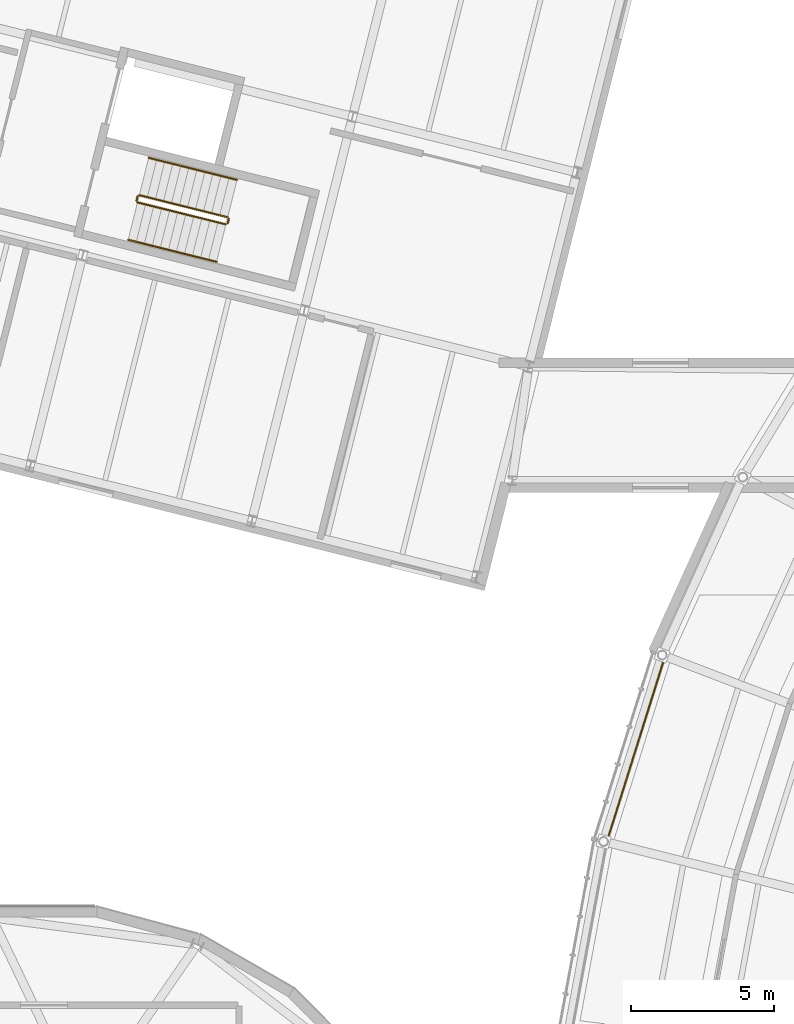
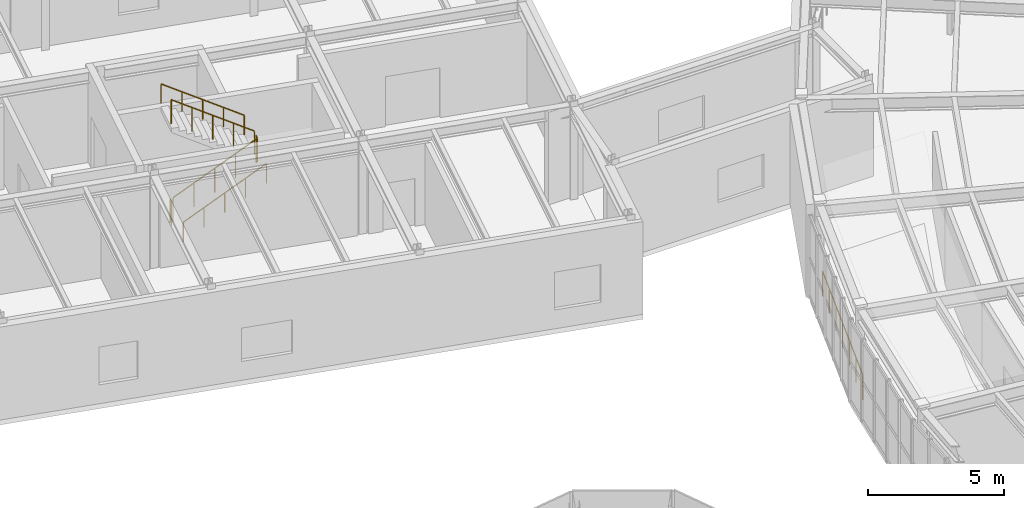
# One storey, part 97 of 103: 7 railings.
"""IFC4 building model written with IfcOpenShell, lengths in metres."""

import ifcopenshell
import ifcopenshell.guid

model = None  # the IFC model being written
_history = None  # IfcOwnerHistory: only IFC2X3 demands one
_inside = {}  # id of a spatial element -> (the spatial element, [elements in it])
_under = {}  # id of a project, library or spatial element -> (it, [spatial elements below it])
_declared = {}  # id of a project -> (the project, [libraries it declares])
_typed = {}  # id of a type object -> (the type object, [elements of that type])
_made_of = {}  # id of a material, layer set ... -> (it, [elements and type objects made of it])


def new_model(schema):
    """Start an empty IFC model of exactly this schema.

    Asked for "IFC4X3", IfcOpenShell would pick the latest addendum, in which some entities
    have other attributes; the version numbers below select the first issue.
    IFC2X3 requires an IfcOwnerHistory on every rooted entity: one is made here for all.
    """
    global model, _history
    if schema == "IFC4X3":
        model = ifcopenshell.file(schema_version=(4, 3, 0, 0))
    else:
        model = ifcopenshell.file(schema=schema)
    _inside.clear()
    _under.clear()
    _declared.clear()
    _typed.clear()
    _made_of.clear()
    _history = None
    if model.schema == "IFC2X3":
        org = make("IfcOrganization", Name="unknown")
        user = make(
            "IfcPersonAndOrganization",
            ThePerson=make("IfcPerson", FamilyName="unknown"),
            TheOrganization=org,
        )
        app = make(
            "IfcApplication",
            ApplicationDeveloper=org,
            Version="unknown",
            ApplicationFullName="unknown",
            ApplicationIdentifier="unknown",
        )
        _history = make(
            "IfcOwnerHistory",
            OwningUser=user,
            OwningApplication=app,
            ChangeAction="ADDED",
            CreationDate=0,
        )
    return model


def make(cls, **values):
    """One entity of the class cls with the attributes given. An attribute that is None is left unset."""
    return model.create_entity(
        cls, **{name: value for name, value in values.items() if value is not None}
    )


def rooted(cls, **values):
    """An entity with a GlobalId (a new one), such as an element, a storey or a relation."""
    return make(cls, GlobalId=ifcopenshell.guid.new(), OwnerHistory=_history, **values)


def si_unit(unit_type, name, prefix=None):
    """IfcSIUnit, for example si_unit("LENGTHUNIT", "METRE", prefix="MILLI")."""
    return make("IfcSIUnit", UnitType=unit_type, Prefix=prefix, Name=name)


def assignment(units):
    """IfcUnitAssignment: the units of a project."""
    return None if units is None else make("IfcUnitAssignment", Units=units)


def point(xyz):
    """IfcCartesianPoint."""
    return None if xyz is None else make("IfcCartesianPoint", Coordinates=xyz)


def direction(xyz):
    """IfcDirection."""
    return None if xyz is None else make("IfcDirection", DirectionRatios=xyz)


def frame(location, z_axis=None, x_axis=None):
    """IfcAxis2Placement3D, a coordinate frame: its origin and axes. An axis left out is left unset."""
    return make(
        "IfcAxis2Placement3D",
        Location=point(location),
        Axis=direction(z_axis),
        RefDirection=direction(x_axis),
    )


def frame_2d(location, x_axis=None):
    """IfcAxis2Placement2D, a coordinate frame in the plane: its origin and x axis."""
    return make(
        "IfcAxis2Placement2D", Location=point(location), RefDirection=direction(x_axis)
    )


def origin():
    """The frame at (0, 0, 0) with its axes left unset."""
    return frame((0.0, 0.0, 0.0))


def origin_2d():
    """The frame at (0, 0) in the plane with its x axis left unset."""
    return frame_2d((0.0, 0.0))


def place(relative_to, where):
    """IfcLocalPlacement: puts the frame where relative to a parent placement (None: the world)."""
    return make(
        "IfcLocalPlacement", PlacementRelTo=relative_to, RelativePlacement=where
    )


def context(
    kind, dimensions, precision=None, world=None, true_north=None, identifier=None
):
    """IfcGeometricRepresentationContext, for example the 3D "Model" context."""
    return make(
        "IfcGeometricRepresentationContext",
        ContextIdentifier=identifier,
        ContextType=kind,
        CoordinateSpaceDimension=dimensions,
        Precision=precision,
        WorldCoordinateSystem=world,
        TrueNorth=true_north,
    )


def subcontext(parent, identifier, kind, view, scale=None):
    """IfcGeometricRepresentationSubContext, for example "Body" below "Model"."""
    return make(
        "IfcGeometricRepresentationSubContext",
        ContextIdentifier=identifier,
        ContextType=kind,
        ParentContext=parent,
        TargetScale=scale,
        TargetView=view,
    )


def project(units=None, contexts=None):
    """IfcProject with its units and contexts."""
    return rooted(
        "IfcProject",
        Name="project",
        RepresentationContexts=contexts,
        UnitsInContext=assignment(units),
    )


def spatial(cls, under=None, at=None, **own):
    """A site, building, storey or space (cls), placed at a placement, below another one or the project."""
    s = rooted(cls, ObjectPlacement=at, **own)
    if under is not None:
        _under.setdefault(under.id(), (under, []))[1].append(s)
    return s


def profile(cls, at=None, kind="AREA", **sizes):
    """A parametric profile (cls). Its sizes go by their IFC names, for example OverallWidth=200.0."""
    return make(cls, ProfileType=kind, Position=at, **sizes)


def circle(**sizes):
    """IfcCircleProfileDef."""
    return profile("IfcCircleProfileDef", **sizes)


def extrude(swept, where, along, depth):
    """IfcExtrudedAreaSolid: the profile swept, set in the frame where, extruded along a direction by depth."""
    return make(
        "IfcExtrudedAreaSolid",
        SweptArea=swept,
        Position=where,
        ExtrudedDirection=direction(along),
        Depth=depth,
    )


def shape(context_of_items, identifier, shape_type, items):
    """IfcShapeRepresentation: the items that make up one representation, for example the "Body"."""
    return make(
        "IfcShapeRepresentation",
        ContextOfItems=context_of_items,
        RepresentationIdentifier=identifier,
        RepresentationType=shape_type,
        Items=items,
    )


def material(Name=None, Category=None):
    """IfcMaterial."""
    return make("IfcMaterial", Name=Name, Category=Category)


def made_of(thing, what):
    """Note that an element or type object is made of a material, layer set ...; save() writes the relation."""
    if what is not None:
        _made_of.setdefault(what.id(), (what, []))[1].append(thing)
    return thing


def type_object(cls, material=None, **own):
    """A type object (cls), such as IfcWallType, which elements share."""
    return made_of(rooted(cls, **own), material)


def element(
    cls,
    number,
    at=None,
    inside=None,
    cuts=None,
    type_object=None,
    material=None,
    context=None,
    identifier="Body",
    shape_type=None,
    held_by="IfcProductDefinitionShape",
    body=None,
    shapes=None,
    **own,
):
    """One element of the class cls, such as IfcWall. Its Tag is "e" and its number.

    at: its placement. inside: the storey or other place that contains it. cuts: it is an
    opening in that element (IfcRelVoidsElement). A single representation is given by context,
    identifier, shape_type and body (its items); several are given by shapes. held_by: the class
    of the entity that holds the representations. save() writes the other relations.
    """
    e = rooted(cls, Tag="e%d" % number, ObjectPlacement=at, **own)
    if body is not None:
        shapes = [shape(context, identifier, shape_type, body)]
    if shapes is not None:
        e.Representation = make(held_by, Representations=shapes)
    if inside is not None:
        _inside.setdefault(inside.id(), (inside, []))[1].append(e)
    if cuts is not None:
        rooted(
            "IfcRelVoidsElement", RelatingBuildingElement=cuts, RelatedOpeningElement=e
        )
    if type_object is not None:
        _typed.setdefault(type_object.id(), (type_object, []))[1].append(e)
    return made_of(e, material)


def aggregate(whole, parts):
    """IfcRelAggregates: a whole, such as a stair, and the parts it consists of."""
    return rooted("IfcRelAggregates", RelatingObject=whole, RelatedObjects=parts)


def save(model, path):
    """Write the relations noted so far, then the file.

    IfcRelAggregates (storeys below a building ...), IfcRelContainedInSpatialStructure (elements
    in a storey), IfcRelDefinesByType, IfcRelAssociatesMaterial and IfcRelDeclares: one each for
    every whole, place, type object, material and project.
    """
    for whole, parts in _under.values():
        aggregate(whole, parts)
    for where, things in _inside.values():
        rooted(
            "IfcRelContainedInSpatialStructure",
            RelatedElements=things,
            RelatingStructure=where,
        )
    for kind, things in _typed.values():
        rooted("IfcRelDefinesByType", RelatedObjects=things, RelatingType=kind)
    for what, things in _made_of.values():
        rooted("IfcRelAssociatesMaterial", RelatedObjects=things, RelatingMaterial=what)
    for by, libraries in _declared.values():
        rooted("IfcRelDeclares", RelatingContext=by, RelatedDefinitions=libraries)
    model.write(path)


model = new_model("IFC4")

# Units and contexts
model_context = context("Model", 3, precision=1e-05, world=origin(), true_north=direction((0.0, 1.0)))
body_context = subcontext(model_context, "Body", "Model", "MODEL_VIEW")
ifc_project = project(units=[si_unit("LENGTHUNIT", "METRE"), si_unit("AREAUNIT", "SQUARE_METRE"), si_unit("VOLUMEUNIT", "CUBIC_METRE"), si_unit("PLANEANGLEUNIT", "RADIAN"), si_unit("MASSUNIT", "GRAM", prefix="KILO")], contexts=[model_context])

# Site, building, storey
site_placement = place(None, origin())
site = spatial("IfcSite", under=ifc_project, at=site_placement, CompositionType="ELEMENT")
building_placement = place(site_placement, origin())
building = spatial("IfcBuilding", under=site, at=building_placement, Name="Varnklinge Art Gallery", CompositionType="ELEMENT")
storey_placement = place(building_placement, frame((0.0, 0.0, 5.10009765625)))
storey = spatial("IfcBuildingStorey", under=building, at=storey_placement, Name="L01", CompositionType="ELEMENT", Elevation=5.10009765625)

# Railings
ifc_material_1 = material(Name="Anodised Aluminium", Category="aluminium")
railing_type_1 = type_object("IfcRailingType", Name="BAL-01", PredefinedType="BALUSTRADE", material=ifc_material_1)
railing_1_placement = place(storey_placement, frame((43.55712890625, 75.0576171875, 0.0)))
element("IfcRailing", 1, at=railing_1_placement, inside=storey, type_object=railing_type_1, Name="L01 Ring Outer Glazing Guard 24", PredefinedType="BALUSTRADE", context=body_context, shape_type="SweptSolid", body=[
    extrude(circle(Radius=0.02392578125, at=origin_2d()), frame((0.0, 0.0, 1.11572265625), z_axis=(-0.299747621108, -0.954018534222, 0.0), x_axis=(0.954018534222, -0.299747621108, 0.0)), (0.0, 0.0, 1.0), 6.832763671875),
    extrude(circle(Radius=0.02099609375, at=origin_2d()), origin(), (0.0, 0.0, 1.0), 1.091796875),
    extrude(circle(Radius=0.02099609375, at=origin_2d()), frame((-0.34130859375, -1.08642578125, 0.0)), (0.0, 0.0, 1.0), 1.091796875),
    extrude(circle(Radius=0.02099609375, at=origin_2d()), frame((-0.6826171875, -2.1728515625, 0.0)), (0.0, 0.0, 1.0), 1.091796875),
    extrude(circle(Radius=0.02099609375, at=origin_2d()), frame((-1.02392578125, -3.25927734375, 0.0)), (0.0, 0.0, 1.0), 1.091796875),
    extrude(circle(Radius=0.02099609375, at=origin_2d()), frame((-1.365478515625, -4.345703125, 0.0)), (0.0, 0.0, 1.0), 1.091796875),
    extrude(circle(Radius=0.02099609375, at=origin_2d()), frame((-1.706787109375, -5.43212890625, 0.0)), (0.0, 0.0, 1.0), 1.091796875),
    extrude(circle(Radius=0.02099609375, at=origin_2d()), frame((-2.048095703125, -6.5185546875, 0.0)), (0.0, 0.0, 1.0), 1.091796875),
])
ifc_material_2 = material(Name="Steel S355", Category="steel")
railing_type_2 = type_object("IfcRailingType", Name="GR-INT", PredefinedType="GUARDRAIL", material=ifc_material_2)
railing_2_placement = place(storey_placement, frame((25.0751953125, 90.95556640625, 0.18408203125)))
element("IfcRailing", 2, at=railing_2_placement, inside=storey, type_object=railing_type_2, Name="L01 ST-04 stair guard 1", PredefinedType="GUARDRAIL", context=body_context, shape_type="SweptSolid", body=[
    extrude(circle(Radius=0.02392578125, at=origin_2d()), frame((0.0, 0.0, 1.076171875), z_axis=(0.819077689326, -0.20422026944, 0.536102434613), x_axis=(0.241923306424, 0.970295374517, 0.0)), (0.0, 0.0, 1.0), 3.77880859375),
    extrude(circle(Radius=0.02099609375, at=origin_2d()), origin(), (0.0, 0.0, 1.0), 1.052001953125),
    extrude(circle(Radius=0.02099609375, at=origin_2d()), frame((0.77392578125, -0.19287109375, 0.50634765625)), (0.0, 0.0, 1.0), 1.052001953125),
    extrude(circle(Radius=0.02099609375, at=origin_2d()), frame((1.547607421875, -0.3857421875, 1.012939453125)), (0.0, 0.0, 1.0), 1.052001953125),
    extrude(circle(Radius=0.02099609375, at=origin_2d()), frame((2.3212890625, -0.578857421875, 1.51953125)), (0.0, 0.0, 1.0), 1.052001953125),
    extrude(circle(Radius=0.02099609375, at=origin_2d()), frame((3.09521484375, -0.771728515625, 2.02587890625)), (0.0, 0.0, 1.0), 1.052001953125),
])
railing_3_placement = place(storey_placement, frame((28.231201171875, 90.22021484375, 2.2099609375)))
element("IfcRailing", 3, at=railing_3_placement, inside=storey, type_object=railing_type_2, Name="L01 ST-04 stair guard 2", PredefinedType="GUARDRAIL", context=body_context, shape_type="SweptSolid", body=[
    extrude(circle(Radius=0.02392578125, at=origin_2d()), frame((0.0, 0.0, 1.076171875), z_axis=(0.241099176539, 0.970500482778, 0.0), x_axis=(-0.970500482778, 0.241099176539, 0.0)), (0.0, 0.0, 1.0), 0.159912109375),
    extrude(circle(Radius=0.02099609375, at=origin_2d()), origin(), (0.0, 0.0, 1.0), 1.052001953125),
    extrude(circle(Radius=0.02099609375, at=origin_2d()), frame((0.03857421875, 0.1552734375, 0.0)), (0.0, 0.0, 1.0), 1.052001953125),
])
railing_4_placement = place(storey_placement, frame((28.2333984375, 90.43603515625, 2.39404296875)))
element("IfcRailing", 4, at=railing_4_placement, inside=storey, type_object=railing_type_2, Name="L01 ST-04 stair guard 3", PredefinedType="GUARDRAIL", context=body_context, shape_type="SweptSolid", body=[
    extrude(circle(Radius=0.02392578125, at=origin_2d()), frame((0.0, 0.0, 1.076171875), z_axis=(-0.819077689326, 0.20422026944, 0.536102434613), x_axis=(-0.241923306424, -0.970295374517, 0.0)), (0.0, 0.0, 1.0), 3.77880859375),
    extrude(circle(Radius=0.02099609375, at=origin_2d()), origin(), (0.0, 0.0, 1.0), 1.052001953125),
    extrude(circle(Radius=0.02099609375, at=origin_2d()), frame((-0.77392578125, 0.19287109375, 0.50634765625)), (0.0, 0.0, 1.0), 1.052001953125),
    extrude(circle(Radius=0.02099609375, at=origin_2d()), frame((-1.547607421875, 0.3857421875, 1.012939453125)), (0.0, 0.0, 1.0), 1.052001953125),
    extrude(circle(Radius=0.02099609375, at=origin_2d()), frame((-2.3212890625, 0.578857421875, 1.51953125)), (0.0, 0.0, 1.0), 1.052001953125),
    extrude(circle(Radius=0.02099609375, at=origin_2d()), frame((-3.09521484375, 0.771728515625, 2.02587890625)), (0.0, 0.0, 1.0), 1.052001953125),
])
railing_5_placement = place(storey_placement, frame((25.038818359375, 91.01611328125, 0.0)))
element("IfcRailing", 5, at=railing_5_placement, inside=storey, type_object=railing_type_2, Name="L01 ST-04 stair guard 4", PredefinedType="GUARDRAIL", context=body_context, shape_type="SweptSolid", body=[
    extrude(circle(Radius=0.02392578125, at=origin_2d()), frame((0.0, 0.0, 1.076171875), z_axis=(0.242535625036, 0.970142500145, 0.0), x_axis=(-0.970142500145, 0.242535625036, 0.0)), (0.0, 0.0, 1.0), 0.16015625),
    extrude(circle(Radius=0.02099609375, at=origin_2d()), origin(), (0.0, 0.0, 1.0), 1.052001953125),
    extrude(circle(Radius=0.02099609375, at=origin_2d()), frame((0.038818359375, 0.1552734375, 0.0)), (0.0, 0.0, 1.0), 1.052001953125),
])
ifc_material_3 = material(Name="Steel S355", Category="steel")
railing_type_3 = type_object("IfcRailingType", Name="HR-01", PredefinedType="HANDRAIL", material=ifc_material_3)
railing_6_placement = place(storey_placement, frame((24.748779296875, 89.645751953125, 0.18408203125)))
element("IfcRailing", 6, at=railing_6_placement, inside=storey, type_object=railing_type_3, Name="L01 ST-04 stair handrail 1", PredefinedType="HANDRAIL", context=body_context, shape_type="SweptSolid", body=[
    extrude(circle(Radius=0.02392578125, at=origin_2d()), frame((0.0, 0.0, 0.8759765625), z_axis=(0.819077689326, -0.20422026944, 0.536102434613), x_axis=(0.241923306424, 0.970295374517, 0.0)), (0.0, 0.0, 1.0), 3.77880859375),
    extrude(circle(Radius=0.02099609375, at=origin_2d()), origin(), (0.0, 0.0, 1.0), 0.851806640625),
    extrude(circle(Radius=0.02099609375, at=origin_2d()), frame((0.77392578125, -0.19287109375, 0.50634765625)), (0.0, 0.0, 1.0), 0.851806640625),
    extrude(circle(Radius=0.02099609375, at=origin_2d()), frame((1.547607421875, -0.3857421875, 1.012939453125)), (0.0, 0.0, 1.0), 0.851806640625),
    extrude(circle(Radius=0.02099609375, at=origin_2d()), frame((2.3212890625, -0.578857421875, 1.51953125)), (0.0, 0.0, 1.0), 0.851806640625),
    extrude(circle(Radius=0.02099609375, at=origin_2d()), frame((3.09521484375, -0.771728515625, 2.02587890625)), (0.0, 0.0, 1.0), 0.851806640625),
])
railing_7_placement = place(storey_placement, frame((28.56005859375, 91.74609375, 2.39404296875)))
element("IfcRailing", 7, at=railing_7_placement, inside=storey, type_object=railing_type_3, Name="L01 ST-04 stair handrail 2", PredefinedType="HANDRAIL", context=body_context, shape_type="SweptSolid", body=[
    extrude(circle(Radius=0.02392578125, at=origin_2d()), frame((0.0, 0.0, 0.8759765625), z_axis=(-0.819077689326, 0.20422026944, 0.536102434613), x_axis=(-0.241923306424, -0.970295374517, 0.0)), (0.0, 0.0, 1.0), 3.77880859375),
    extrude(circle(Radius=0.02099609375, at=origin_2d()), origin(), (0.0, 0.0, 1.0), 0.851806640625),
    extrude(circle(Radius=0.02099609375, at=origin_2d()), frame((-0.77392578125, 0.19287109375, 0.50634765625)), (0.0, 0.0, 1.0), 0.851806640625),
    extrude(circle(Radius=0.02099609375, at=origin_2d()), frame((-1.547607421875, 0.3857421875, 1.012939453125)), (0.0, 0.0, 1.0), 0.851806640625),
    extrude(circle(Radius=0.02099609375, at=origin_2d()), frame((-2.3212890625, 0.578857421875, 1.51953125)), (0.0, 0.0, 1.0), 0.851806640625),
    extrude(circle(Radius=0.02099609375, at=origin_2d()), frame((-3.09521484375, 0.771728515625, 2.02587890625)), (0.0, 0.0, 1.0), 0.851806640625),
])

save(model, "model.ifc")
